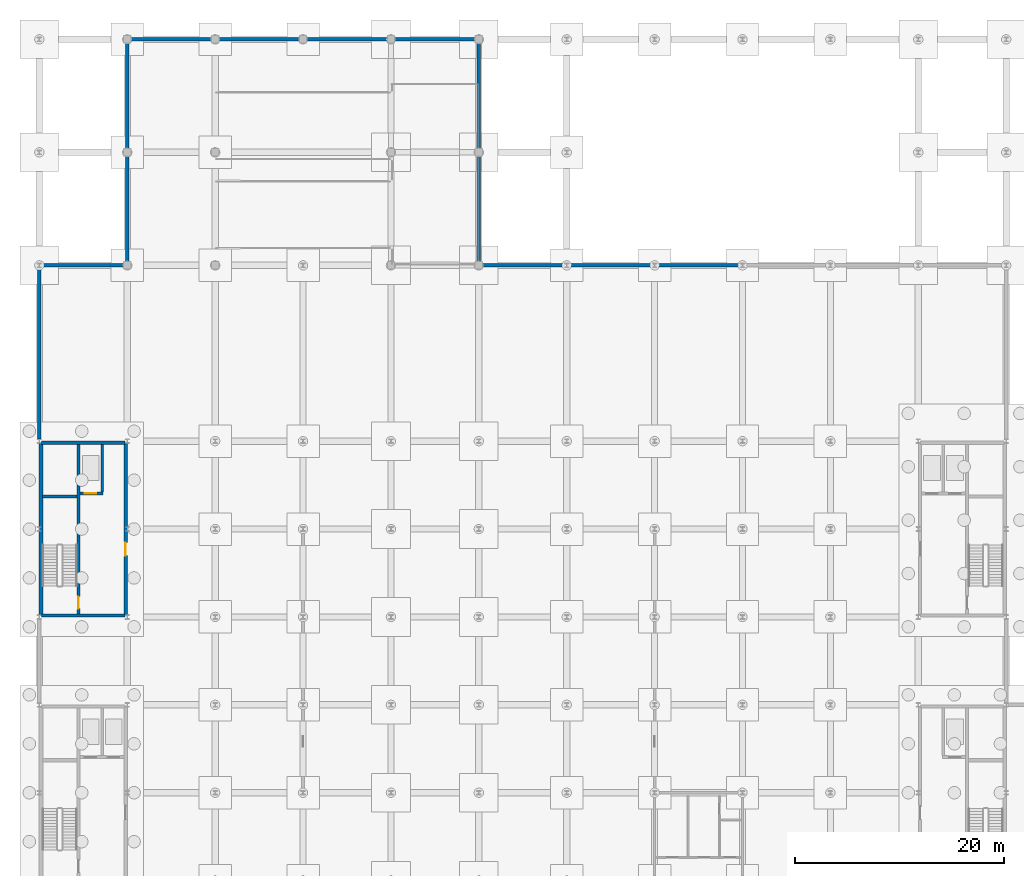
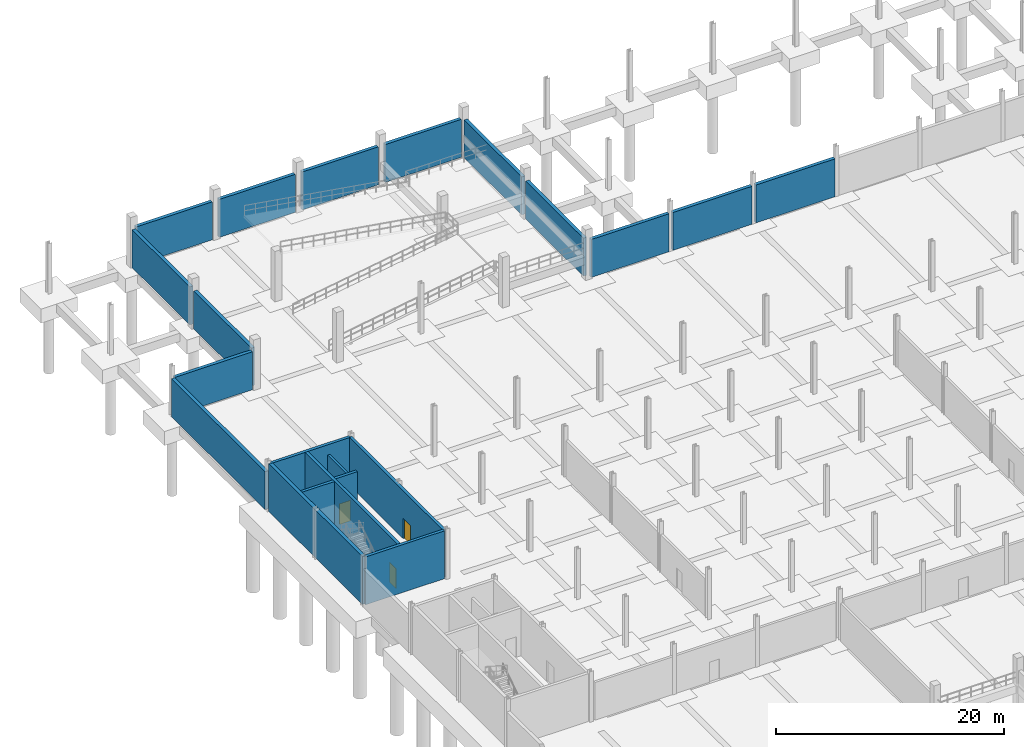
# One storey, part 27 of 36: 21 walls, 3 doors, 3 openings.
"""IFC4 building model written with IfcOpenShell, lengths in metres."""

import ifcopenshell
import ifcopenshell.guid

model = None  # the IFC model being written
_history = None  # IfcOwnerHistory: only IFC2X3 demands one
_inside = {}  # id of a spatial element -> (the spatial element, [elements in it])
_under = {}  # id of a project, library or spatial element -> (it, [spatial elements below it])
_declared = {}  # id of a project -> (the project, [libraries it declares])
_typed = {}  # id of a type object -> (the type object, [elements of that type])
_made_of = {}  # id of a material, layer set ... -> (it, [elements and type objects made of it])


def new_model(schema):
    """Start an empty IFC model of exactly this schema.

    Asked for "IFC4X3", IfcOpenShell would pick the latest addendum, in which some entities
    have other attributes; the version numbers below select the first issue.
    IFC2X3 requires an IfcOwnerHistory on every rooted entity: one is made here for all.
    """
    global model, _history
    if schema == "IFC4X3":
        model = ifcopenshell.file(schema_version=(4, 3, 0, 0))
    else:
        model = ifcopenshell.file(schema=schema)
    _inside.clear()
    _under.clear()
    _declared.clear()
    _typed.clear()
    _made_of.clear()
    _history = None
    if model.schema == "IFC2X3":
        org = make("IfcOrganization", Name="unknown")
        user = make(
            "IfcPersonAndOrganization",
            ThePerson=make("IfcPerson", FamilyName="unknown"),
            TheOrganization=org,
        )
        app = make(
            "IfcApplication",
            ApplicationDeveloper=org,
            Version="unknown",
            ApplicationFullName="unknown",
            ApplicationIdentifier="unknown",
        )
        _history = make(
            "IfcOwnerHistory",
            OwningUser=user,
            OwningApplication=app,
            ChangeAction="ADDED",
            CreationDate=0,
        )
    return model


def make(cls, **values):
    """One entity of the class cls with the attributes given. An attribute that is None is left unset."""
    return model.create_entity(
        cls, **{name: value for name, value in values.items() if value is not None}
    )


def rooted(cls, **values):
    """An entity with a GlobalId (a new one), such as an element, a storey or a relation."""
    return make(cls, GlobalId=ifcopenshell.guid.new(), OwnerHistory=_history, **values)


def si_unit(unit_type, name, prefix=None):
    """IfcSIUnit, for example si_unit("LENGTHUNIT", "METRE", prefix="MILLI")."""
    return make("IfcSIUnit", UnitType=unit_type, Prefix=prefix, Name=name)


def assignment(units):
    """IfcUnitAssignment: the units of a project."""
    return None if units is None else make("IfcUnitAssignment", Units=units)


def point(xyz):
    """IfcCartesianPoint."""
    return None if xyz is None else make("IfcCartesianPoint", Coordinates=xyz)


def direction(xyz):
    """IfcDirection."""
    return None if xyz is None else make("IfcDirection", DirectionRatios=xyz)


def frame(location, z_axis=None, x_axis=None):
    """IfcAxis2Placement3D, a coordinate frame: its origin and axes. An axis left out is left unset."""
    return make(
        "IfcAxis2Placement3D",
        Location=point(location),
        Axis=direction(z_axis),
        RefDirection=direction(x_axis),
    )


def frame_2d(location, x_axis=None):
    """IfcAxis2Placement2D, a coordinate frame in the plane: its origin and x axis."""
    return make(
        "IfcAxis2Placement2D", Location=point(location), RefDirection=direction(x_axis)
    )


def origin():
    """The frame at (0, 0, 0) with its axes left unset."""
    return frame((0.0, 0.0, 0.0))


def place(relative_to, where):
    """IfcLocalPlacement: puts the frame where relative to a parent placement (None: the world)."""
    return make(
        "IfcLocalPlacement", PlacementRelTo=relative_to, RelativePlacement=where
    )


def context(
    kind, dimensions, precision=None, world=None, true_north=None, identifier=None
):
    """IfcGeometricRepresentationContext, for example the 3D "Model" context."""
    return make(
        "IfcGeometricRepresentationContext",
        ContextIdentifier=identifier,
        ContextType=kind,
        CoordinateSpaceDimension=dimensions,
        Precision=precision,
        WorldCoordinateSystem=world,
        TrueNorth=true_north,
    )


def subcontext(parent, identifier, kind, view, scale=None):
    """IfcGeometricRepresentationSubContext, for example "Body" below "Model"."""
    return make(
        "IfcGeometricRepresentationSubContext",
        ContextIdentifier=identifier,
        ContextType=kind,
        ParentContext=parent,
        TargetScale=scale,
        TargetView=view,
    )


def project(units=None, contexts=None):
    """IfcProject with its units and contexts."""
    return rooted(
        "IfcProject",
        Name="project",
        RepresentationContexts=contexts,
        UnitsInContext=assignment(units),
    )


def spatial(cls, under=None, at=None, **own):
    """A site, building, storey or space (cls), placed at a placement, below another one or the project."""
    s = rooted(cls, ObjectPlacement=at, **own)
    if under is not None:
        _under.setdefault(under.id(), (under, []))[1].append(s)
    return s


def profile(cls, at=None, kind="AREA", **sizes):
    """A parametric profile (cls). Its sizes go by their IFC names, for example OverallWidth=200.0."""
    return make(cls, ProfileType=kind, Position=at, **sizes)


def rectangle(**sizes):
    """IfcRectangleProfileDef."""
    return profile("IfcRectangleProfileDef", **sizes)


def extrude(swept, where, along, depth):
    """IfcExtrudedAreaSolid: the profile swept, set in the frame where, extruded along a direction by depth."""
    return make(
        "IfcExtrudedAreaSolid",
        SweptArea=swept,
        Position=where,
        ExtrudedDirection=direction(along),
        Depth=depth,
    )


def shape(context_of_items, identifier, shape_type, items):
    """IfcShapeRepresentation: the items that make up one representation, for example the "Body"."""
    return make(
        "IfcShapeRepresentation",
        ContextOfItems=context_of_items,
        RepresentationIdentifier=identifier,
        RepresentationType=shape_type,
        Items=items,
    )


def material(Name=None, Category=None):
    """IfcMaterial."""
    return make("IfcMaterial", Name=Name, Category=Category)


def layer(
    of_material, thickness, ventilated=None, Name=None, Category=None, Priority=None
):
    """IfcMaterialLayer: one layer of a wall or slab, of a material (None: an air gap)."""
    return make(
        "IfcMaterialLayer",
        Material=of_material,
        LayerThickness=thickness,
        IsVentilated=ventilated,
        Name=Name,
        Category=Category,
        Priority=Priority,
    )


def layer_set(layers, Name=None):
    """IfcMaterialLayerSet."""
    return make("IfcMaterialLayerSet", MaterialLayers=layers, LayerSetName=Name)


def made_of(thing, what):
    """Note that an element or type object is made of a material, layer set ...; save() writes the relation."""
    if what is not None:
        _made_of.setdefault(what.id(), (what, []))[1].append(thing)
    return thing


def type_object(cls, material=None, **own):
    """A type object (cls), such as IfcWallType, which elements share."""
    return made_of(rooted(cls, **own), material)


def element(
    cls,
    number,
    at=None,
    inside=None,
    cuts=None,
    type_object=None,
    material=None,
    context=None,
    identifier="Body",
    shape_type=None,
    held_by="IfcProductDefinitionShape",
    body=None,
    shapes=None,
    **own,
):
    """One element of the class cls, such as IfcWall. Its Tag is "e" and its number.

    at: its placement. inside: the storey or other place that contains it. cuts: it is an
    opening in that element (IfcRelVoidsElement). A single representation is given by context,
    identifier, shape_type and body (its items); several are given by shapes. held_by: the class
    of the entity that holds the representations. save() writes the other relations.
    """
    e = rooted(cls, Tag="e%d" % number, ObjectPlacement=at, **own)
    if body is not None:
        shapes = [shape(context, identifier, shape_type, body)]
    if shapes is not None:
        e.Representation = make(held_by, Representations=shapes)
    if inside is not None:
        _inside.setdefault(inside.id(), (inside, []))[1].append(e)
    if cuts is not None:
        rooted(
            "IfcRelVoidsElement", RelatingBuildingElement=cuts, RelatedOpeningElement=e
        )
    if type_object is not None:
        _typed.setdefault(type_object.id(), (type_object, []))[1].append(e)
    return made_of(e, material)


def fill(opening, filler):
    """IfcRelFillsElement: the door or window that sits in an opening."""
    return rooted(
        "IfcRelFillsElement",
        RelatingOpeningElement=opening,
        RelatedBuildingElement=filler,
    )


def aggregate(whole, parts):
    """IfcRelAggregates: a whole, such as a stair, and the parts it consists of."""
    return rooted("IfcRelAggregates", RelatingObject=whole, RelatedObjects=parts)


def save(model, path):
    """Write the relations noted so far, then the file.

    IfcRelAggregates (storeys below a building ...), IfcRelContainedInSpatialStructure (elements
    in a storey), IfcRelDefinesByType, IfcRelAssociatesMaterial and IfcRelDeclares: one each for
    every whole, place, type object, material and project.
    """
    for whole, parts in _under.values():
        aggregate(whole, parts)
    for where, things in _inside.values():
        rooted(
            "IfcRelContainedInSpatialStructure",
            RelatedElements=things,
            RelatingStructure=where,
        )
    for kind, things in _typed.values():
        rooted("IfcRelDefinesByType", RelatedObjects=things, RelatingType=kind)
    for what, things in _made_of.values():
        rooted("IfcRelAssociatesMaterial", RelatedObjects=things, RelatingMaterial=what)
    for by, libraries in _declared.values():
        rooted("IfcRelDeclares", RelatingContext=by, RelatedDefinitions=libraries)
    model.write(path)


model = new_model("IFC4")

# Units and contexts
model_context = context("Model", 3, precision=1e-05, world=origin(), true_north=direction((0.0, 1.0)))
body_context = subcontext(model_context, "Body", "Model", "MODEL_VIEW")
ifc_project = project(units=[si_unit("LENGTHUNIT", "METRE"), si_unit("AREAUNIT", "SQUARE_METRE"), si_unit("VOLUMEUNIT", "CUBIC_METRE"), si_unit("PLANEANGLEUNIT", "RADIAN"), si_unit("MASSUNIT", "GRAM", prefix="KILO"), si_unit("THERMODYNAMICTEMPERATUREUNIT", "KELVIN"), si_unit("POWERUNIT", "WATT")], contexts=[model_context])

# Site, building, storey
site_placement = place(None, origin())
site = spatial("IfcSite", under=ifc_project, at=site_placement, CompositionType="ELEMENT")
building_placement = place(site_placement, origin())
building = spatial("IfcBuilding", under=site, at=building_placement, Name="Tembeka Court Mobility Hub", CompositionType="ELEMENT")
storey_placement = place(building_placement, frame((0.0, 0.0, -5.39990234375)))
storey = spatial("IfcBuildingStorey", under=building, at=storey_placement, Name="B1", CompositionType="ELEMENT", Elevation=-5.39990234375)

# Walls
ifc_material_1 = material(Name="Concrete C40/50", Category="concrete")
ifc_layer_1 = layer(ifc_material_1, 0.25)
ifc_layer_set_1 = layer_set([ifc_layer_1], Name="Concrete C40/50")
wall_type_1 = type_object("IfcWallType", Name="WL-IW01", PredefinedType="PARTITIONING", material=ifc_layer_set_1)
wall_1_placement = place(storey_placement, frame((6.0, 75.550048828125, 0.0), z_axis=(0.0, 0.0, 1.0), x_axis=(0.0, 1.0, 0.0)))
element("IfcWall", 1, at=wall_1_placement, inside=storey, type_object=wall_type_1, Name="Wall IW01 (IW-B1-0136)", PredefinedType="PARTITIONING", context=body_context, shape_type="SweptSolid", body=[
    extrude(rectangle(XDim=4.550048828125, YDim=0.25, at=frame_2d((2.27490234375, 0.0))), origin(), (0.0, 0.0, 1.0), 4.02490234375),
])
ifc_layer_2 = layer(ifc_material_1, 0.340087890625)
ifc_layer_set_2 = layer_set([ifc_layer_2], Name="Concrete C40/50")
wall_type_2 = type_object("IfcWallType", Name="WL-RW01", PredefinedType="USERDEFINED", material=ifc_layer_set_2)
wall_2_placement = place(storey_placement, frame((0.197509765625, 97.199951171875, 0.0), z_axis=(0.0, 0.0, 1.0), x_axis=(1.0, 0.0, 0.0)))
element("IfcWall", 2, at=wall_2_placement, inside=storey, type_object=wall_type_2, Name="External wall RW01 (EW-B1-0002)", ObjectType="RETAININGWALL", PredefinedType="USERDEFINED", context=body_context, shape_type="SweptSolid", body=[
    extrude(rectangle(XDim=7.8544921875, YDim=0.340087890625, at=frame_2d((3.92724609375, 0.0))), origin(), (0.0, 0.0, 1.0), 4.059814453125),
])
wall_3_placement = place(storey_placement, frame((8.748046875, 118.800048828125, 0.0), z_axis=(0.0, 0.0, 1.0), x_axis=(1.0, 0.0, 0.0)))
element("IfcWall", 3, at=wall_3_placement, inside=storey, type_object=wall_type_2, Name="External wall RW01 (EW-B1-0004)", ObjectType="RETAININGWALL", PredefinedType="USERDEFINED", context=body_context, shape_type="SweptSolid", body=[
    extrude(rectangle(XDim=7.703857421875, YDim=0.340087890625, at=frame_2d((3.85205078125, 0.0))), origin(), (0.0, 0.0, 1.0), 4.059814453125),
])
wall_4_placement = place(storey_placement, frame((17.14794921875, 118.800048828125, 0.0), z_axis=(0.0, 0.0, 1.0), x_axis=(1.0, 0.0, 0.0)))
element("IfcWall", 4, at=wall_4_placement, inside=storey, type_object=wall_type_2, Name="External wall RW01 (EW-B1-0006)", ObjectType="RETAININGWALL", PredefinedType="USERDEFINED", context=body_context, shape_type="SweptSolid", body=[
    extrude(rectangle(XDim=7.7041015625, YDim=0.340087890625, at=frame_2d((3.85205078125, 0.0))), origin(), (0.0, 0.0, 1.0), 4.059814453125),
])
wall_5_placement = place(storey_placement, frame((25.548095703125, 118.800048828125, 0.0), z_axis=(0.0, 0.0, 1.0), x_axis=(1.0, 0.0, 0.0)))
element("IfcWall", 5, at=wall_5_placement, inside=storey, type_object=wall_type_2, Name="External wall RW01 (EW-B1-0008)", ObjectType="RETAININGWALL", PredefinedType="USERDEFINED", context=body_context, shape_type="SweptSolid", body=[
    extrude(rectangle(XDim=7.703857421875, YDim=0.340087890625, at=frame_2d((3.85205078125, 0.0))), origin(), (0.0, 0.0, 1.0), 4.059814453125),
])
wall_6_placement = place(storey_placement, frame((33.947998046875, 118.800048828125, 0.0), z_axis=(0.0, 0.0, 1.0), x_axis=(1.0, 0.0, 0.0)))
element("IfcWall", 6, at=wall_6_placement, inside=storey, type_object=wall_type_2, Name="External wall RW01 (EW-B1-0010)", ObjectType="RETAININGWALL", PredefinedType="USERDEFINED", context=body_context, shape_type="SweptSolid", body=[
    extrude(rectangle(XDim=7.7041015625, YDim=0.340087890625, at=frame_2d((3.85205078125, 0.0))), origin(), (0.0, 0.0, 1.0), 4.059814453125),
])
wall_7_placement = place(storey_placement, frame((42.347900390625, 97.199951171875, 0.0), z_axis=(0.0, 0.0, 1.0), x_axis=(1.0, 0.0, 0.0)))
element("IfcWall", 7, at=wall_7_placement, inside=storey, type_object=wall_type_2, Name="External wall RW01 (EW-B1-0012)", ObjectType="RETAININGWALL", PredefinedType="USERDEFINED", context=body_context, shape_type="SweptSolid", body=[
    extrude(rectangle(XDim=7.8544921875, YDim=0.340087890625, at=frame_2d((3.92724609375, 0.0))), origin(), (0.0, 0.0, 1.0), 4.059814453125),
])
wall_8_placement = place(storey_placement, frame((50.597412109375, 97.199951171875, 0.0), z_axis=(0.0, 0.0, 1.0), x_axis=(1.0, 0.0, 0.0)))
element("IfcWall", 8, at=wall_8_placement, inside=storey, type_object=wall_type_2, Name="External wall RW01 (EW-B1-0014)", ObjectType="RETAININGWALL", PredefinedType="USERDEFINED", context=body_context, shape_type="SweptSolid", body=[
    extrude(rectangle(XDim=8.005126953125, YDim=0.340087890625, at=frame_2d((4.00244140625, 0.0))), origin(), (0.0, 0.0, 1.0), 4.059814453125),
])
wall_9_placement = place(storey_placement, frame((58.99755859375, 97.199951171875, 0.0), z_axis=(0.0, 0.0, 1.0), x_axis=(1.0, 0.0, 0.0)))
element("IfcWall", 9, at=wall_9_placement, inside=storey, type_object=wall_type_2, Name="External wall RW01 (EW-B1-0016)", ObjectType="RETAININGWALL", PredefinedType="USERDEFINED", context=body_context, shape_type="SweptSolid", body=[
    extrude(rectangle(XDim=8.0048828125, YDim=0.340087890625, at=frame_2d((4.00244140625, 0.0))), origin(), (0.0, 0.0, 1.0), 4.059814453125),
])
for number, where, z_axis, x_axis, name in (
    (10, (8.39990234375, 97.548095703125, 0.0), (0.0, 0.0, 1.0), (0.0, 1.0, 0.0), "External wall RW01 (EW-B1-0027)"),
    (11, (42.0, 97.548095703125, 0.0), (0.0, 0.0, 1.0), (0.0, 1.0, 0.0), "External wall RW01 (EW-B1-0028)"),
    (12, (8.39990234375, 108.347900390625, 0.0), (0.0, 0.0, 1.0), (0.0, 1.0, 0.0), "External wall RW01 (EW-B1-0029)"),
    (13, (42.0, 108.347900390625, 0.0), (0.0, 0.0, 1.0), (0.0, 1.0, 0.0), "External wall RW01 (EW-B1-0030)"),
):
    element("IfcWall", number, at=place(storey_placement, frame(where, z_axis=z_axis, x_axis=x_axis)), inside=storey, type_object=wall_type_2, Name=name, ObjectType="RETAININGWALL", PredefinedType="USERDEFINED", context=body_context, shape_type="SweptSolid", body=[
        extrude(rectangle(XDim=10.10400390625, YDim=0.340087890625, at=frame_2d((5.052001953125, 0.0))), origin(), (0.0, 0.0, 1.0), 4.059814453125),
    ])
wall_10_placement = place(storey_placement, frame((0.0, 80.594970703125, 0.0), z_axis=(0.0, 0.0, 1.0), x_axis=(0.0, 1.0, 0.0)))
element("IfcWall", 14, at=wall_10_placement, inside=storey, type_object=wall_type_2, Name="External wall RW01 (EW-B1-0035)", ObjectType="RETAININGWALL", PredefinedType="USERDEFINED", context=body_context, shape_type="SweptSolid", body=[
    extrude(rectangle(XDim=16.409912109375, YDim=0.340087890625, at=frame_2d((8.205078125, 0.0))), origin(), (0.0, 0.0, 1.0), 4.059814453125),
])
ifc_layer_3 = layer(ifc_material_1, 0.300048828125)
ifc_layer_set_3 = layer_set([ifc_layer_3], Name="Concrete C40/50")
wall_type_3 = type_object("IfcWallType", Name="WL-SW01", PredefinedType="SHEAR", material=ifc_layer_set_3)
for number, where, z_axis, x_axis, name in (
    (15, (0.197509765625, 63.75, 0.0), (0.0, 0.0, 1.0), (1.0, 0.0, 0.0), "Wall SW01 (IW-B1-0129)"),
    (16, (0.197509765625, 80.25, 0.0), (0.0, 0.0, 1.0), (1.0, 0.0, 0.0), "Wall SW01 (IW-B1-0130)"),
):
    element("IfcWall", number, at=place(storey_placement, frame(where, z_axis=z_axis, x_axis=x_axis)), inside=storey, type_object=wall_type_3, Name=name, PredefinedType="SHEAR", context=body_context, shape_type="SweptSolid", body=[
        extrude(rectangle(XDim=8.0048828125, YDim=0.300048828125, at=frame_2d((4.00244140625, 0.0))), origin(), (0.0, 0.0, 1.0), 5.119873046875),
    ])
wall_11_placement = place(storey_placement, frame((0.300048828125, 75.10009765625, 0.0), z_axis=(0.0, 0.0, 1.0), x_axis=(1.0, 0.0, 0.0)))
element("IfcWall", 17, at=wall_11_placement, inside=storey, type_object=wall_type_3, Name="Wall SW01 (IW-B1-0131)", PredefinedType="SHEAR", context=body_context, shape_type="SweptSolid", body=[
    extrude(rectangle(XDim=3.300048828125, YDim=0.300048828125, at=frame_2d((1.64990234375, 0.0))), origin(), (0.0, 0.0, 1.0), 5.119873046875),
])

# Wall, opening, door
wall_12_placement = place(storey_placement, frame((8.25, 63.794921875, 0.0), z_axis=(0.0, 0.0, 1.0), x_axis=(0.0, 1.0, 0.0)))
wall_12 = element("IfcWall", 18, at=wall_12_placement, inside=storey, type_object=wall_type_3, Name="Wall SW01 (IW-B1-0133)", PredefinedType="SHEAR", context=body_context, shape_type="SweptSolid", body=[
    extrude(rectangle(XDim=16.41015625, YDim=0.300048828125, at=frame_2d((8.205078125, 0.0))), origin(), (0.0, 0.0, 1.0), 5.119873046875),
])
opening_1_placement = place(wall_12_placement, frame((5.655029296875, 0.0, 0.0)))
opening_1 = element("IfcOpeningElement", 19, at=opening_1_placement, cuts=wall_12, Name="Opening FD01", PredefinedType="OPENING", context=body_context, shape_type="SweptSolid", body=[
    extrude(rectangle(XDim=1.25, YDim=2.14990234375, at=frame_2d((0.625, 1.074951171875))), frame((0.0, 0.16015625, 0.0), z_axis=(0.0, -1.0, 0.0), x_axis=(1.0, 0.0, 0.0)), (0.0, 0.0, 1.0), 0.320068359375),
])
ifc_material_2 = material(Name="Galvanised steel fire/shutter doorset", Category="steel")
door_type_1 = type_object("IfcDoorType", Name="DR-FD01", OperationType="NOTDEFINED", PredefinedType="DOOR", material=ifc_material_2)
door_1_placement = place(opening_1_placement, origin())
door_1 = element("IfcDoor", 20, at=door_1_placement, inside=storey, type_object=door_type_1, Name="Door FD01-0067", OperationType="SINGLE_SWING_RIGHT", OverallHeight=2.14990234375, OverallWidth=1.25, PredefinedType="DOOR", context=body_context, shape_type="SweptSolid", body=[
    extrude(rectangle(XDim=1.25, YDim=2.14990234375, at=frame_2d((0.625, 1.074951171875))), frame((0.0, 0.02490234375, 0.0), z_axis=(0.0, -1.0, 0.0), x_axis=(1.0, 0.0, 0.0)), (0.0, 0.0, 1.0), 0.050048828125),
])
fill(opening_1, door_1)

wall_13_placement = place(storey_placement, frame((3.75, 63.89990234375, 0.0), z_axis=(0.0, 0.0, 1.0), x_axis=(0.0, 1.0, 0.0)))
wall_13 = element("IfcWall", 21, at=wall_13_placement, inside=storey, type_object=wall_type_3, Name="Wall SW01 (IW-B1-0134)", PredefinedType="SHEAR", context=body_context, shape_type="SweptSolid", body=[
    extrude(rectangle(XDim=16.2001953125, YDim=0.300048828125, at=frame_2d((8.10009765625, 0.0))), origin(), (0.0, 0.0, 1.0), 5.119873046875),
])
opening_2_placement = place(wall_13_placement, frame((0.5, 0.0, 0.0)))
opening_2 = element("IfcOpeningElement", 22, at=opening_2_placement, cuts=wall_13, Name="Opening FD03", PredefinedType="OPENING", context=body_context, shape_type="SweptSolid", body=[
    extrude(rectangle(XDim=1.14990234375, YDim=2.14990234375, at=frame_2d((0.574951171875, 1.074951171875))), frame((0.0, 0.16015625, 0.0), z_axis=(0.0, -1.0, 0.0), x_axis=(1.0, 0.0, 0.0)), (0.0, 0.0, 1.0), 0.320068359375),
])
door_type_2 = type_object("IfcDoorType", Name="DR-FD03", OperationType="NOTDEFINED", PredefinedType="DOOR", material=ifc_material_2)
door_2_placement = place(opening_2_placement, frame((1.14990234375, 0.0, 0.0), z_axis=(0.0, 0.0, 1.0), x_axis=(-1.0, 0.0, 0.0)))
door_2 = element("IfcDoor", 23, at=door_2_placement, inside=storey, type_object=door_type_2, Name="Door FD03-0068", OperationType="SINGLE_SWING_LEFT", OverallHeight=2.14990234375, OverallWidth=1.14990234375, PredefinedType="DOOR", context=body_context, shape_type="SweptSolid", body=[
    extrude(rectangle(XDim=1.14990234375, YDim=2.14990234375, at=frame_2d((0.574951171875, 1.074951171875))), frame((0.0, 0.02490234375, 0.0), z_axis=(0.0, -1.0, 0.0), x_axis=(1.0, 0.0, 0.0)), (0.0, 0.0, 1.0), 0.050048828125),
])
fill(opening_2, door_2)

wall_14_placement = place(storey_placement, frame((3.89990234375, 75.39990234375, 0.0), z_axis=(0.0, 0.0, 1.0), x_axis=(1.0, 0.0, 0.0)))
wall_14 = element("IfcWall", 24, at=wall_14_placement, inside=storey, type_object=wall_type_3, Name="Wall SW01 (IW-B1-0135)", PredefinedType="SHEAR", context=body_context, shape_type="SweptSolid", body=[
    extrude(rectangle(XDim=2.2001953125, YDim=0.300048828125, at=frame_2d((1.10009765625, 0.0))), origin(), (0.0, 0.0, 1.0), 5.119873046875),
])
opening_3_placement = place(wall_14_placement, frame((0.449951171875, 0.0, 0.0)))
opening_3 = element("IfcOpeningElement", 25, at=opening_3_placement, cuts=wall_14, Name="Opening LD01", PredefinedType="OPENING", context=body_context, shape_type="SweptSolid", body=[
    extrude(rectangle(XDim=1.10009765625, YDim=2.199951171875, at=frame_2d((0.550048828125, 1.10009765625))), frame((0.0, 0.16015625, 0.0), z_axis=(0.0, -1.0, 0.0), x_axis=(1.0, 0.0, 0.0)), (0.0, 0.0, 1.0), 0.320068359375),
])
door_type_3 = type_object("IfcDoorType", Name="DR-LD01", OperationType="SLIDING_TO_LEFT", PredefinedType="DOOR", material=ifc_material_2)
door_3_placement = place(opening_3_placement, origin())
door_3 = element("IfcDoor", 26, at=door_3_placement, inside=storey, type_object=door_type_3, Name="Lift LF05 landing door B1", OperationType="SLIDING_TO_LEFT", OverallHeight=2.199951171875, OverallWidth=1.10009765625, PredefinedType="DOOR", context=body_context, shape_type="SweptSolid", body=[
    extrude(rectangle(XDim=1.10009765625, YDim=2.199951171875, at=frame_2d((0.550048828125, 1.10009765625))), frame((0.0, 0.02490234375, 0.0), z_axis=(0.0, -1.0, 0.0), x_axis=(1.0, 0.0, 0.0)), (0.0, 0.0, 1.0), 0.050048828125),
])
fill(opening_3, door_3)

# Wall
ifc_layer_4 = layer(ifc_material_1, 0.35009765625)
ifc_layer_set_4 = layer_set([ifc_layer_4], Name="Concrete C40/50")
wall_type_4 = type_object("IfcWallType", Name="WL-SW02", PredefinedType="SHEAR", material=ifc_layer_set_4)
wall_15_placement = place(storey_placement, frame((0.14990234375, 63.794921875, 0.0), z_axis=(0.0, 0.0, 1.0), x_axis=(0.0, 1.0, 0.0)))
element("IfcWall", 27, at=wall_15_placement, inside=storey, type_object=wall_type_4, Name="Wall SW02 (IW-B1-0132)", PredefinedType="SHEAR", context=body_context, shape_type="SweptSolid", body=[
    extrude(rectangle(XDim=16.41015625, YDim=0.35009765625, at=frame_2d((8.205078125, 0.0))), origin(), (0.0, 0.0, 1.0), 5.119873046875),
])

save(model, "model.ifc")
